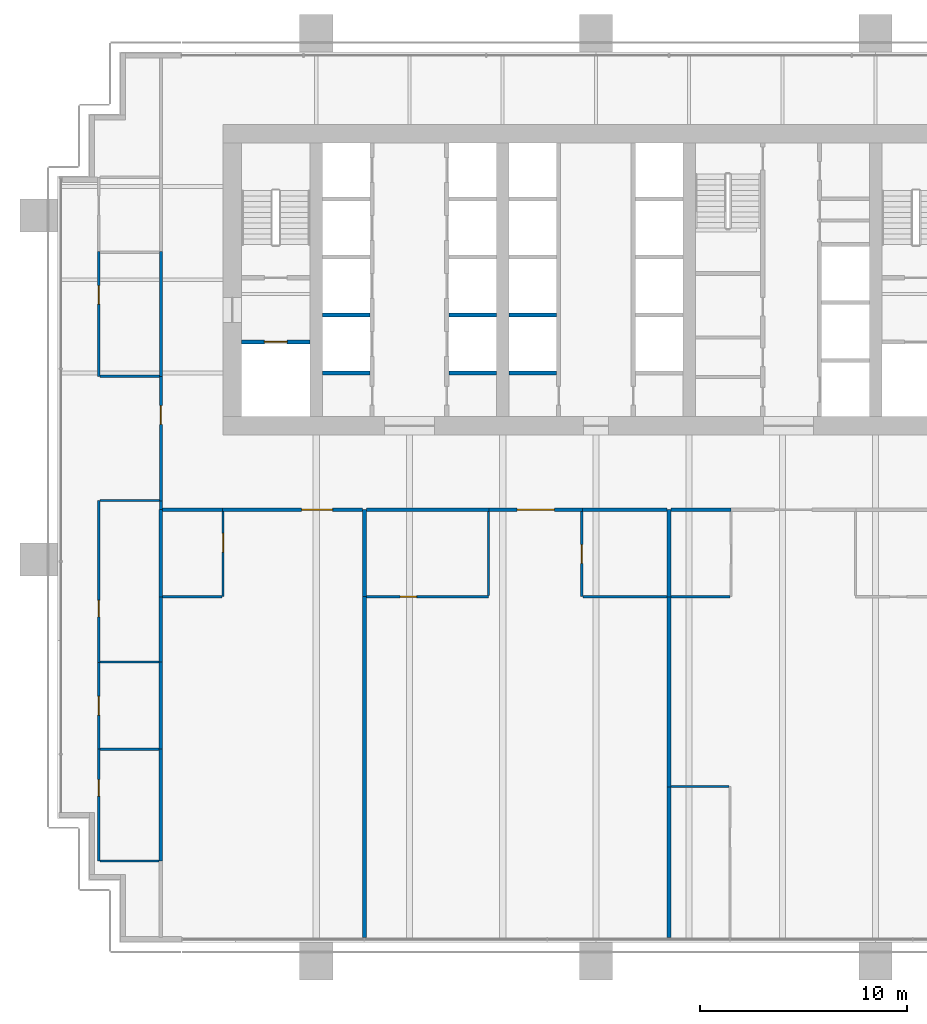
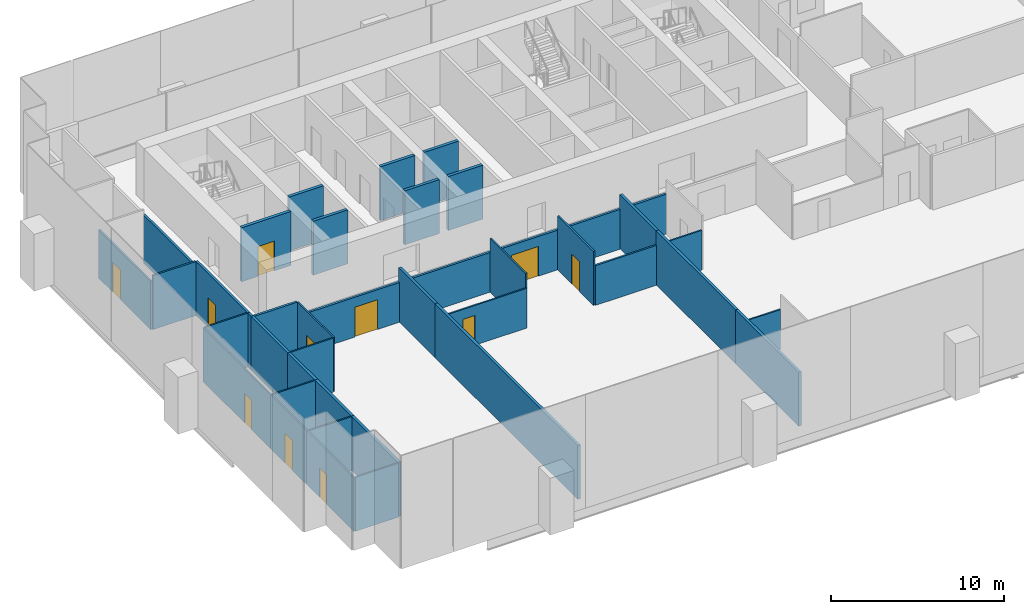
# One storey, part 12 of 19: 42 walls, 11 doors, 11 openings.
"""IFC4 building model written with IfcOpenShell, lengths in metres."""

from ifc_helpers import new_model, si_unit, direction, frame, frame_2d, origin, place, context, subcontext, project, spatial, rectangle, extrude, material, layer, layer_set, type_object, element, fill, save


model = new_model("IFC4")

# Units and contexts
model_context = context("Model", 3, precision=1e-05, world=origin(), true_north=direction((0.0, 1.0)))
body_context = subcontext(model_context, "Body", "Model", "MODEL_VIEW")
ifc_project = project(units=[si_unit("LENGTHUNIT", "METRE"), si_unit("AREAUNIT", "SQUARE_METRE"), si_unit("VOLUMEUNIT", "CUBIC_METRE"), si_unit("PLANEANGLEUNIT", "RADIAN"), si_unit("MASSUNIT", "GRAM", prefix="KILO")], contexts=[model_context])

# Site, building, storey
site_placement = place(None, origin())
site = spatial("IfcSite", under=ifc_project, at=site_placement, CompositionType="ELEMENT")
building_placement = place(site_placement, origin())
building = spatial("IfcBuilding", under=site, at=building_placement, Name="Rattan Terrace Tower", CompositionType="ELEMENT")
storey_placement = place(building_placement, frame((0.0, 0.0, 79.699951171875)))
storey = spatial("IfcBuildingStorey", under=building, at=storey_placement, Name="L17", CompositionType="ELEMENT", Elevation=79.699951171875)

# Wall, opening, door
ifc_material_1 = material(Name="Gypsum board partition")
ifc_layer_1 = layer(ifc_material_1, 0.199951171875)
ifc_layer_set_1 = layer_set([ifc_layer_1], Name="Core partition 200")
wall_type_1 = type_object("IfcWallType", Name="Core partition 200", PredefinedType="PARTITIONING", material=ifc_layer_set_1)
wall_1_placement = place(storey_placement, frame((-17.10009765625, -3.0, 0.0), z_axis=(0.0, 0.0, 1.0), x_axis=(1.0, 0.0, 0.0)))
wall_1 = element("IfcWall", 1, at=wall_1_placement, inside=storey, type_object=wall_type_1, Name="Fire-fighting lobby wall", PredefinedType="PARTITIONING", context=body_context, shape_type="SweptSolid", body=[
    extrude(rectangle(XDim=3.300048828125, YDim=0.199951171875, at=frame_2d((1.64990234375, 0.0))), origin(), (0.0, 0.0, 1.0), 3.800048828125),
])
opening_1_placement = place(wall_1_placement, frame((1.10009765625, 0.0, 0.0)))
opening_1 = element("IfcOpeningElement", 2, at=opening_1_placement, cuts=wall_1, Name="Opening L17-LD-FF1", PredefinedType="OPENING", context=body_context, shape_type="SweptSolid", body=[
    extrude(rectangle(XDim=1.10009765625, YDim=2.10009765625, at=frame_2d((0.550048828125, 1.050048828125))), frame((0.0, 0.110595703125, 0.0), z_axis=(0.0, -1.0, 0.0), x_axis=(1.0, 0.0, 0.0)), (0.0, 0.0, 1.0), 0.220947265625),
])
ifc_material_2 = material(Name="Brushed stainless landing door panel")
door_type_1 = type_object("IfcDoorType", Name="Core lift landing door 1100", OperationType="DOUBLE_DOOR_SLIDING", PredefinedType="DOOR", material=ifc_material_2)
door_1_placement = place(opening_1_placement, origin())
door_1 = element("IfcDoor", 3, at=door_1_placement, inside=storey, type_object=door_type_1, Name="Door L17-LD-FF1", OperationType="DOUBLE_DOOR_SLIDING", OverallHeight=2.10009765625, OverallWidth=1.10009765625, PredefinedType="DOOR", context=body_context, shape_type="SweptSolid", body=[
    extrude(rectangle(XDim=1.10009765625, YDim=2.10009765625, at=frame_2d((0.550048828125, 1.050048828125))), frame((0.0, 0.02490234375, 0.0), z_axis=(0.0, -1.0, 0.0), x_axis=(1.0, 0.0, 0.0)), (0.0, 0.0, 1.0), 0.050048828125),
])
fill(opening_1, door_1)

# Walls
ifc_material_3 = material(Name="Double steel stud acoustic partition, gypsum board, mineral wool, fire rated", Category="steel")
ifc_layer_2 = layer(ifc_material_3, 0.179931640625)
ifc_layer_set_2 = layer_set([ifc_layer_2], Name="Floors Acoustic Party Wall 180")
wall_type_2 = type_object("IfcWallType", Name="Floors Acoustic Party Wall 180", PredefinedType="PARTITIONING", material=ifc_layer_set_2)
wall_2_placement = place(storey_placement, frame((-21.0, -22.659912109375, 0.0), z_axis=(0.0, 0.0, 1.0), x_axis=(0.0, -1.0, 0.0)))
element("IfcWall", 4, at=wall_2_placement, inside=storey, type_object=wall_type_2, Name="pt-L17-031", PredefinedType="PARTITIONING", context=body_context, shape_type="SweptSolid", body=[
    extrude(rectangle(XDim=5.400146484375, YDim=0.179931640625, at=frame_2d((2.7001953125, 0.0))), origin(), (0.0, 0.0, 1.0), 3.800048828125),
])
wall_3_placement = place(storey_placement, frame((-21.0, -18.4599609375, 0.0), z_axis=(0.0, 0.0, 1.0), x_axis=(0.0, -1.0, 0.0)))
element("IfcWall", 5, at=wall_3_placement, inside=storey, type_object=wall_type_2, Name="pt-L17-033", PredefinedType="PARTITIONING", context=body_context, shape_type="SweptSolid", body=[
    extrude(rectangle(XDim=4.199951171875, YDim=0.179931640625, at=frame_2d((2.10009765625, 0.0))), origin(), (0.0, 0.0, 1.0), 3.800048828125),
])
wall_4_placement = place(storey_placement, frame((-21.0, -15.320068359375, 0.0), z_axis=(0.0, 0.0, 1.0), x_axis=(0.0, -1.0, 0.0)))
element("IfcWall", 6, at=wall_4_placement, inside=storey, type_object=wall_type_2, Name="pt-L17-034", PredefinedType="PARTITIONING", context=body_context, shape_type="SweptSolid", body=[
    extrude(rectangle(XDim=3.139892578125, YDim=0.179931640625, at=frame_2d((1.56982421875, 0.0))), origin(), (0.0, 0.0, 1.0), 3.800048828125),
])
wall_5_placement = place(storey_placement, frame((-21.0, -11.080078125, 0.0), z_axis=(0.0, 0.0, 1.0), x_axis=(0.0, -1.0, 0.0)))
element("IfcWall", 7, at=wall_5_placement, inside=storey, type_object=wall_type_2, Name="pt-L17-035", PredefinedType="PARTITIONING", context=body_context, shape_type="SweptSolid", body=[
    extrude(rectangle(XDim=4.239990234375, YDim=0.179931640625, at=frame_2d((2.1201171875, 0.0))), origin(), (0.0, 0.0, 1.0), 3.800048828125),
])
wall_6_placement = place(storey_placement, frame((-11.176025390625, -15.280029296875, 0.0), z_axis=(0.0, 0.0, 1.0), x_axis=(0.0, -1.0, 0.0)))
element("IfcWall", 8, at=wall_6_placement, inside=storey, type_object=wall_type_2, Name="pt-L17-039", PredefinedType="PARTITIONING", context=body_context, shape_type="SweptSolid", body=[
    extrude(rectangle(XDim=16.4599609375, YDim=0.179931640625, at=frame_2d((8.22998046875, 0.0))), origin(), (0.0, 0.0, 1.0), 3.800048828125),
])
wall_7_placement = place(storey_placement, frame((-11.176025390625, -11.10009765625, 0.0), z_axis=(0.0, 0.0, 1.0), x_axis=(0.0, -1.0, 0.0)))
element("IfcWall", 9, at=wall_7_placement, inside=storey, type_object=wall_type_2, Name="pt-L17-040", PredefinedType="PARTITIONING", context=body_context, shape_type="SweptSolid", body=[
    extrude(rectangle(XDim=4.179931640625, YDim=0.179931640625, at=frame_2d((2.08984375, 0.0))), origin(), (0.0, 0.0, 1.0), 3.800048828125),
])
wall_8_placement = place(storey_placement, frame((3.529052734375, -15.300048828125, 0.0), z_axis=(0.0, 0.0, 1.0), x_axis=(0.0, -1.0, 0.0)))
element("IfcWall", 10, at=wall_8_placement, inside=storey, type_object=wall_type_2, Name="pt-L17-045", PredefinedType="PARTITIONING", context=body_context, shape_type="SweptSolid", body=[
    extrude(rectangle(XDim=9.179931640625, YDim=0.179931640625, at=frame_2d((4.58984375, 0.0))), origin(), (0.0, 0.0, 1.0), 3.800048828125),
])
wall_9_placement = place(storey_placement, frame((3.529052734375, -24.47998046875, 0.0), z_axis=(0.0, 0.0, 1.0), x_axis=(0.0, -1.0, 0.0)))
element("IfcWall", 11, at=wall_9_placement, inside=storey, type_object=wall_type_2, Name="pt-L17-046", PredefinedType="PARTITIONING", context=body_context, shape_type="SweptSolid", body=[
    extrude(rectangle(XDim=7.260009765625, YDim=0.179931640625, at=frame_2d((3.6298828125, 0.0))), origin(), (0.0, 0.0, 1.0), 3.800048828125),
])
wall_10_placement = place(storey_placement, frame((3.529052734375, -11.10009765625, 0.0), z_axis=(0.0, 0.0, 1.0), x_axis=(0.0, -1.0, 0.0)))
element("IfcWall", 12, at=wall_10_placement, inside=storey, type_object=wall_type_2, Name="pt-L17-047", PredefinedType="PARTITIONING", context=body_context, shape_type="SweptSolid", body=[
    extrude(rectangle(XDim=4.199951171875, YDim=0.179931640625, at=frame_2d((2.10009765625, 0.0))), origin(), (0.0, 0.0, 1.0), 3.800048828125),
])

# Wall, opening, door
ifc_material_4 = material(Name="Gypsum board partition on steel studs", Category="steel")
ifc_layer_3 = layer(ifc_material_4, 0.10009765625)
ifc_layer_set_3 = layer_set([ifc_layer_3], Name="Floors Partition 100")
wall_type_3 = type_object("IfcWallType", Name="Floors Partition 100", PredefinedType="PARTITIONING", material=ifc_layer_set_3)
wall_11_placement = place(storey_placement, frame((-24.0, -22.639892578125, 0.0), z_axis=(0.0, 0.0, 1.0), x_axis=(0.0, -1.0, 0.0)))
wall_11 = element("IfcWall", 13, at=wall_11_placement, inside=storey, type_object=wall_type_3, Name="pt-L17-020", PredefinedType="PARTITIONING", context=body_context, shape_type="SweptSolid", body=[
    extrude(rectangle(XDim=5.420166015625, YDim=0.10009765625, at=frame_2d((2.7099609375, 0.0))), origin(), (0.0, 0.0, 1.0), 3.800048828125),
])
opening_2_placement = place(wall_11_placement, frame((1.486083984375, 0.0, 0.0)))
opening_2 = element("IfcOpeningElement", 14, at=opening_2_placement, cuts=wall_11, Name="Opening L17-D101", PredefinedType="OPENING", context=body_context, shape_type="SweptSolid", body=[
    extrude(rectangle(XDim=0.800048828125, YDim=2.10009765625, at=frame_2d((0.39990234375, 1.050048828125))), frame((0.0, 0.060546875, 0.0), z_axis=(0.0, -1.0, 0.0), x_axis=(1.0, 0.0, 0.0)), (0.0, 0.0, 1.0), 0.12109375),
])
ifc_material_5 = material(Name="Solid core timber door, painted", Category="wood")
door_type_2 = type_object("IfcDoorType", Name="Floors Store Door 800x2100", OperationType="NOTDEFINED", PredefinedType="DOOR", material=ifc_material_5)
door_2_placement = place(opening_2_placement, origin())
door_2 = element("IfcDoor", 15, at=door_2_placement, inside=storey, type_object=door_type_2, Name="d-L17-101", OperationType="SINGLE_SWING_LEFT", OverallHeight=2.10009765625, OverallWidth=0.800048828125, PredefinedType="DOOR", context=body_context, shape_type="SweptSolid", body=[
    extrude(rectangle(XDim=0.800048828125, YDim=2.10009765625, at=frame_2d((0.39990234375, 1.050048828125))), frame((0.0, 0.02490234375, 0.0), z_axis=(0.0, -1.0, 0.0), x_axis=(1.0, 0.0, 0.0)), (0.0, 0.0, 1.0), 0.050048828125),
])
fill(opening_2, door_2)

# Wall
wall_12_placement = place(storey_placement, frame((-23.949951171875, -28.06005859375, 0.0), z_axis=(0.0, 0.0, 1.0), x_axis=(1.0, 0.0, 0.0)))
element("IfcWall", 16, at=wall_12_placement, inside=storey, type_object=wall_type_3, Name="pt-L17-021", PredefinedType="PARTITIONING", context=body_context, shape_type="SweptSolid", body=[
    extrude(rectangle(XDim=2.85986328125, YDim=0.10009765625, at=frame_2d((1.429931640625, 0.0))), origin(), (0.0, 0.0, 1.0), 3.800048828125),
])

# Wall, opening, door
wall_13_placement = place(storey_placement, frame((-24.0, -18.47998046875, 0.0), z_axis=(0.0, 0.0, 1.0), x_axis=(0.0, -1.0, 0.0)))
wall_13 = element("IfcWall", 17, at=wall_13_placement, inside=storey, type_object=wall_type_3, Name="pt-L17-022", PredefinedType="PARTITIONING", context=body_context, shape_type="SweptSolid", body=[
    extrude(rectangle(XDim=4.159912109375, YDim=0.10009765625, at=frame_2d((2.080078125, 0.0))), origin(), (0.0, 0.0, 1.0), 3.800048828125),
])
opening_3_placement = place(wall_13_placement, frame((1.6298828125, 0.0, 0.0)))
opening_3 = element("IfcOpeningElement", 18, at=opening_3_placement, cuts=wall_13, Name="Opening L17-D102", PredefinedType="OPENING", context=body_context, shape_type="SweptSolid", body=[
    extrude(rectangle(XDim=0.89990234375, YDim=2.10009765625, at=frame_2d((0.449951171875, 1.050048828125))), frame((0.0, 0.060546875, 0.0), z_axis=(0.0, -1.0, 0.0), x_axis=(1.0, 0.0, 0.0)), (0.0, 0.0, 1.0), 0.12109375),
])
ifc_material_6 = material(Name="Solid core timber door, painted", Category="wood")
door_type_3 = type_object("IfcDoorType", Name="Floors Door 900x2100", OperationType="NOTDEFINED", PredefinedType="DOOR", material=ifc_material_6)
door_3_placement = place(opening_3_placement, origin())
door_3 = element("IfcDoor", 19, at=door_3_placement, inside=storey, type_object=door_type_3, Name="d-L17-102", OperationType="SINGLE_SWING_LEFT", OverallHeight=2.10009765625, OverallWidth=0.89990234375, PredefinedType="DOOR", context=body_context, shape_type="SweptSolid", body=[
    extrude(rectangle(XDim=0.89990234375, YDim=2.10009765625, at=frame_2d((0.449951171875, 1.050048828125))), frame((0.0, 0.02490234375, 0.0), z_axis=(0.0, -1.0, 0.0), x_axis=(1.0, 0.0, 0.0)), (0.0, 0.0, 1.0), 0.050048828125),
])
fill(opening_3, door_3)

wall_14_placement = place(storey_placement, frame((-24.0, -10.659912109375, 0.0), z_axis=(0.0, 0.0, 1.0), x_axis=(0.0, -1.0, 0.0)))
wall_14 = element("IfcWall", 20, at=wall_14_placement, inside=storey, type_object=wall_type_3, Name="pt-L17-023", PredefinedType="PARTITIONING", context=body_context, shape_type="SweptSolid", body=[
    extrude(rectangle(XDim=7.820068359375, YDim=0.10009765625, at=frame_2d((3.91015625, 0.0))), origin(), (0.0, 0.0, 1.0), 3.800048828125),
])
opening_4_placement = place(wall_14_placement, frame((4.81396484375, 0.0, 0.0)))
opening_4 = element("IfcOpeningElement", 21, at=opening_4_placement, cuts=wall_14, Name="Opening L17-D103", PredefinedType="OPENING", context=body_context, shape_type="SweptSolid", body=[
    extrude(rectangle(XDim=0.800048828125, YDim=2.10009765625, at=frame_2d((0.39990234375, 1.050048828125))), frame((0.0, 0.060546875, 0.0), z_axis=(0.0, -1.0, 0.0), x_axis=(1.0, 0.0, 0.0)), (0.0, 0.0, 1.0), 0.12109375),
])
door_4_placement = place(opening_4_placement, origin())
door_4 = element("IfcDoor", 22, at=door_4_placement, inside=storey, type_object=door_type_2, Name="d-L17-103", OperationType="SINGLE_SWING_RIGHT", OverallHeight=2.10009765625, OverallWidth=0.800048828125, PredefinedType="DOOR", context=body_context, shape_type="SweptSolid", body=[
    extrude(rectangle(XDim=0.800048828125, YDim=2.10009765625, at=frame_2d((0.39990234375, 1.050048828125))), frame((0.0, 0.02490234375, 0.0), z_axis=(0.0, -1.0, 0.0), x_axis=(1.0, 0.0, 0.0)), (0.0, 0.0, 1.0), 0.050048828125),
])
fill(opening_4, door_4)

# Walls
wall_15_placement = place(storey_placement, frame((-21.074951171875, -10.659912109375, 0.0), z_axis=(0.0, 0.0, 1.0), x_axis=(-1.0, 0.0, 0.0)))
element("IfcWall", 23, at=wall_15_placement, inside=storey, type_object=wall_type_3, Name="pt-L17-024", PredefinedType="PARTITIONING", context=body_context, shape_type="SweptSolid", body=[
    extrude(rectangle(XDim=2.875, YDim=0.10009765625, at=frame_2d((1.4375, 0.0))), origin(), (0.0, 0.0, 1.0), 3.800048828125),
])
for number, where, z_axis, x_axis, name in (
    (24, (-23.949951171875, -22.659912109375, 0.0), (0.0, 0.0, 1.0), (1.0, 0.0, 0.0), "pt-L17-030"),
    (25, (-23.949951171875, -18.4599609375, 0.0), (0.0, 0.0, 1.0), (1.0, 0.0, 0.0), "pt-L17-032"),
    (26, (-20.909912109375, -15.300048828125, 0.0), (0.0, 0.0, 1.0), (1.0, 0.0, 0.0), "pt-L17-037"),
):
    element("IfcWall", number, at=place(storey_placement, frame(where, z_axis=z_axis, x_axis=x_axis)), inside=storey, type_object=wall_type_3, Name=name, PredefinedType="PARTITIONING", context=body_context, shape_type="SweptSolid", body=[
        extrude(rectangle(XDim=2.85986328125, YDim=0.10009765625, at=frame_2d((1.429931640625, 0.0))), origin(), (0.0, 0.0, 1.0), 3.800048828125),
    ])

# Wall, opening, door
wall_16_placement = place(storey_placement, frame((-18.0, -15.300048828125, 0.0), z_axis=(0.0, 0.0, 1.0), x_axis=(0.0, 1.0, 0.0)))
wall_16 = element("IfcWall", 27, at=wall_16_placement, inside=storey, type_object=wall_type_3, Name="pt-L17-038", PredefinedType="PARTITIONING", context=body_context, shape_type="SweptSolid", body=[
    extrude(rectangle(XDim=4.125, YDim=0.10009765625, at=frame_2d((2.0625, 0.0))), origin(), (0.0, 0.0, 1.0), 3.800048828125),
])
opening_5_placement = place(wall_16_placement, frame((2.156982421875, 0.0, 0.0)))
opening_5 = element("IfcOpeningElement", 28, at=opening_5_placement, cuts=wall_16, Name="Opening L17-D107", PredefinedType="OPENING", context=body_context, shape_type="SweptSolid", body=[
    extrude(rectangle(XDim=0.89990234375, YDim=2.10009765625, at=frame_2d((0.449951171875, 1.050048828125))), frame((0.0, 0.060546875, 0.0), z_axis=(0.0, -1.0, 0.0), x_axis=(1.0, 0.0, 0.0)), (0.0, 0.0, 1.0), 0.12109375),
])
door_5_placement = place(opening_5_placement, origin())
door_5 = element("IfcDoor", 29, at=door_5_placement, inside=storey, type_object=door_type_3, Name="d-L17-107", OperationType="SINGLE_SWING_RIGHT", OverallHeight=2.10009765625, OverallWidth=0.89990234375, PredefinedType="DOOR", context=body_context, shape_type="SweptSolid", body=[
    extrude(rectangle(XDim=0.89990234375, YDim=2.10009765625, at=frame_2d((0.449951171875, 1.050048828125))), frame((0.0, 0.02490234375, 0.0), z_axis=(0.0, -1.0, 0.0), x_axis=(1.0, 0.0, 0.0)), (0.0, 0.0, 1.0), 0.050048828125),
])
fill(opening_5, door_5)

wall_17_placement = place(storey_placement, frame((-11.0859375, -15.300048828125, 0.0), z_axis=(0.0, 0.0, 1.0), x_axis=(1.0, 0.0, 0.0)))
wall_17 = element("IfcWall", 30, at=wall_17_placement, inside=storey, type_object=wall_type_3, Name="pt-L17-041", PredefinedType="PARTITIONING", context=body_context, shape_type="SweptSolid", body=[
    extrude(rectangle(XDim=5.909912109375, YDim=0.10009765625, at=frame_2d((2.955078125, 0.0))), origin(), (0.0, 0.0, 1.0), 2.800048828125),
])
opening_6_placement = place(wall_17_placement, frame((1.633056640625, 0.0, 0.0)))
opening_6 = element("IfcOpeningElement", 31, at=opening_6_placement, cuts=wall_17, Name="Opening L17-D109", PredefinedType="OPENING", context=body_context, shape_type="SweptSolid", body=[
    extrude(rectangle(XDim=0.800048828125, YDim=2.10009765625, at=frame_2d((0.39990234375, 1.050048828125))), frame((0.0, 0.060546875, 0.0), z_axis=(0.0, -1.0, 0.0), x_axis=(1.0, 0.0, 0.0)), (0.0, 0.0, 1.0), 0.12109375),
])
door_6_placement = place(opening_6_placement, origin())
door_6 = element("IfcDoor", 32, at=door_6_placement, inside=storey, type_object=door_type_2, Name="d-L17-109", OperationType="SINGLE_SWING_LEFT", OverallHeight=2.10009765625, OverallWidth=0.800048828125, PredefinedType="DOOR", context=body_context, shape_type="SweptSolid", body=[
    extrude(rectangle(XDim=0.800048828125, YDim=2.10009765625, at=frame_2d((0.39990234375, 1.050048828125))), frame((0.0, 0.02490234375, 0.0), z_axis=(0.0, -1.0, 0.0), x_axis=(1.0, 0.0, 0.0)), (0.0, 0.0, 1.0), 0.050048828125),
])
fill(opening_6, door_6)

# Walls
wall_18_placement = place(storey_placement, frame((-5.176025390625, -15.25, 0.0), z_axis=(0.0, 0.0, 1.0), x_axis=(0.0, 1.0, 0.0)))
element("IfcWall", 33, at=wall_18_placement, inside=storey, type_object=wall_type_3, Name="pt-L17-042", PredefinedType="PARTITIONING", context=body_context, shape_type="SweptSolid", body=[
    extrude(rectangle(XDim=4.074951171875, YDim=0.10009765625, at=frame_2d((2.03759765625, 0.0))), origin(), (0.0, 0.0, 1.0), 3.800048828125),
])
wall_19_placement = place(storey_placement, frame((6.4208984375, -24.4599609375, 0.0), z_axis=(0.0, 0.0, 1.0), x_axis=(-1.0, 0.0, 0.0)))
element("IfcWall", 34, at=wall_19_placement, inside=storey, type_object=wall_type_3, Name="pt-L17-048", PredefinedType="PARTITIONING", context=body_context, shape_type="SweptSolid", body=[
    extrude(rectangle(XDim=2.802001953125, YDim=0.10009765625, at=frame_2d((1.40087890625, 0.0))), origin(), (0.0, 0.0, 1.0), 2.800048828125),
])
wall_20_placement = place(storey_placement, frame((3.618896484375, -15.300048828125, 0.0), z_axis=(0.0, 0.0, 1.0), x_axis=(1.0, 0.0, 0.0)))
element("IfcWall", 35, at=wall_20_placement, inside=storey, type_object=wall_type_3, Name="pt-L17-050", PredefinedType="PARTITIONING", context=body_context, shape_type="SweptSolid", body=[
    extrude(rectangle(XDim=2.860107421875, YDim=0.10009765625, at=frame_2d((1.43017578125, 0.0))), origin(), (0.0, 0.0, 1.0), 2.800048828125),
])

# Wall, opening, door
ifc_material_7 = material(Name="Gypsum board partition on steel studs, fire rated", Category="steel")
ifc_layer_4 = layer(ifc_material_7, 0.14990234375)
ifc_layer_set_4 = layer_set([ifc_layer_4], Name="Floors Tenancy Wall 150")
wall_type_4 = type_object("IfcWallType", Name="Floors Tenancy Wall 150", PredefinedType="PARTITIONING", material=ifc_layer_set_4)
wall_21_placement = place(storey_placement, frame((-21.0, -10.679931640625, 0.0), z_axis=(0.0, 0.0, 1.0), x_axis=(0.0, 1.0, 0.0)))
wall_21 = element("IfcWall", 36, at=wall_21_placement, inside=storey, type_object=wall_type_4, Name="pt-L17-001", PredefinedType="PARTITIONING", context=body_context, shape_type="SweptSolid", body=[
    extrude(rectangle(XDim=6.0, YDim=0.14990234375, at=frame_2d((3.0, 0.0))), origin(), (0.0, 0.0, 1.0), 3.800048828125),
])
opening_7_placement = place(wall_21_placement, frame((3.699951171875, 0.0, 0.0)))
opening_7 = element("IfcOpeningElement", 37, at=opening_7_placement, cuts=wall_21, Name="Opening L17-D100", PredefinedType="OPENING", context=body_context, shape_type="SweptSolid", body=[
    extrude(rectangle(XDim=0.89990234375, YDim=2.10009765625, at=frame_2d((0.449951171875, 1.050048828125))), frame((0.0, 0.08544921875, 0.0), z_axis=(0.0, -1.0, 0.0), x_axis=(1.0, 0.0, 0.0)), (0.0, 0.0, 1.0), 0.1708984375),
])
ifc_material_8 = material(Name="Steel fire door set", Category="steel")
door_type_4 = type_object("IfcDoorType", Name="Floors Fire Door FD30S 900x2100", OperationType="NOTDEFINED", PredefinedType="DOOR", material=ifc_material_8)
door_7_placement = place(opening_7_placement, origin())
door_7 = element("IfcDoor", 38, at=door_7_placement, inside=storey, type_object=door_type_4, Name="d-L17-100", OperationType="SINGLE_SWING_RIGHT", OverallHeight=2.10009765625, OverallWidth=0.89990234375, PredefinedType="DOOR", context=body_context, shape_type="SweptSolid", body=[
    extrude(rectangle(XDim=0.89990234375, YDim=2.10009765625, at=frame_2d((0.449951171875, 1.050048828125))), frame((0.0, 0.02490234375, 0.0), z_axis=(0.0, -1.0, 0.0), x_axis=(1.0, 0.0, 0.0)), (0.0, 0.0, 1.0), 0.050048828125),
])
fill(opening_7, door_7)

# Walls
wall_22_placement = place(storey_placement, frame((-21.0029296875, -11.080078125, 0.0), z_axis=(0.0, 0.0, 1.0), x_axis=(0.0, 1.0, 0.0)))
element("IfcWall", 39, at=wall_22_placement, inside=storey, type_object=wall_type_4, Name="pt-L17-003", PredefinedType="PARTITIONING", context=body_context, shape_type="SweptSolid", body=[
    extrude(rectangle(XDim=0.400146484375, YDim=0.14990234375, at=frame_2d((0.2001953125, 0.0))), origin(), (0.0, 0.0, 1.0), 3.800048828125),
])
wall_23_placement = place(storey_placement, frame((-21.0, -4.679931640625, 0.0), z_axis=(0.0, 0.0, 1.0), x_axis=(0.0, 1.0, 0.0)))
element("IfcWall", 40, at=wall_23_placement, inside=storey, type_object=wall_type_4, Name="pt-L17-004", PredefinedType="PARTITIONING", context=body_context, shape_type="SweptSolid", body=[
    extrude(rectangle(XDim=6.0400390625, YDim=0.14990234375, at=frame_2d((3.02001953125, 0.0))), origin(), (0.0, 0.0, 1.0), 3.400146484375),
])

# Wall, opening, door
wall_24_placement = place(storey_placement, frame((-11.26611328125, -11.10009765625, 0.0), z_axis=(0.0, 0.0, 1.0), x_axis=(-1.0, 0.0, 0.0)))
wall_24 = element("IfcWall", 41, at=wall_24_placement, inside=storey, type_object=wall_type_4, Name="pt-L17-006", PredefinedType="PARTITIONING", context=body_context, shape_type="SweptSolid", body=[
    extrude(rectangle(XDim=6.75390625, YDim=0.14990234375, at=frame_2d((3.376953125, 0.0))), origin(), (0.0, 0.0, 1.0), 2.800048828125),
])
opening_8_placement = place(wall_24_placement, frame((1.43798828125, 0.0, 0.0)))
opening_8 = element("IfcOpeningElement", 42, at=opening_8_placement, cuts=wall_24, Name="Opening L17-D106", PredefinedType="OPENING", context=body_context, shape_type="SweptSolid", body=[
    extrude(rectangle(XDim=1.5, YDim=2.10009765625, at=frame_2d((0.75, 1.050048828125))), frame((0.0, 0.08544921875, 0.0), z_axis=(0.0, -1.0, 0.0), x_axis=(1.0, 0.0, 0.0)), (0.0, 0.0, 1.0), 0.1708984375),
])
ifc_material_9 = material(Name="Steel fire door set", Category="steel")
door_type_5 = type_object("IfcDoorType", Name="Floors Unit Door Pair FD30S 1500x2100", OperationType="NOTDEFINED", PredefinedType="DOOR", material=ifc_material_9)
door_8_placement = place(opening_8_placement, origin())
door_8 = element("IfcDoor", 43, at=door_8_placement, inside=storey, type_object=door_type_5, Name="d-L17-106", OperationType="DOUBLE_DOOR_SINGLE_SWING", OverallHeight=2.10009765625, OverallWidth=1.5, PredefinedType="DOOR", context=body_context, shape_type="SweptSolid", body=[
    extrude(rectangle(XDim=1.5, YDim=2.10009765625, at=frame_2d((0.75, 1.050048828125))), frame((0.0, 0.02490234375, 0.0), z_axis=(0.0, -1.0, 0.0), x_axis=(1.0, 0.0, 0.0)), (0.0, 0.0, 1.0), 0.050048828125),
])
fill(opening_8, door_8)

# Wall
wall_25_placement = place(storey_placement, frame((-18.02001953125, -11.09912109375, 0.0), z_axis=(0.0, 0.0, 1.0), x_axis=(-1.0, 0.0, 0.0)))
element("IfcWall", 44, at=wall_25_placement, inside=storey, type_object=wall_type_4, Name="pt-L17-007", PredefinedType="PARTITIONING", context=body_context, shape_type="SweptSolid", body=[
    extrude(rectangle(XDim=2.889892578125, YDim=0.14990234375, at=frame_2d((1.44482421875, 0.0))), origin(), (0.0, 0.0, 1.0), 3.800048828125),
])

# Wall, opening, door
wall_26_placement = place(storey_placement, frame((-0.656005859375, -11.10009765625, 0.0), z_axis=(0.0, 0.0, 1.0), x_axis=(-1.0, 0.0, 0.0)))
wall_26 = element("IfcWall", 45, at=wall_26_placement, inside=storey, type_object=wall_type_4, Name="pt-L17-008", PredefinedType="PARTITIONING", context=body_context, shape_type="SweptSolid", body=[
    extrude(rectangle(XDim=4.5, YDim=0.14990234375, at=frame_2d((2.25, 0.0))), origin(), (0.0, 0.0, 1.0), 2.800048828125),
])
opening_9_placement = place(wall_26_placement, frame((1.35009765625, 0.0, 0.0)))
opening_9 = element("IfcOpeningElement", 46, at=opening_9_placement, cuts=wall_26, Name="Opening L17-D108", PredefinedType="OPENING", context=body_context, shape_type="SweptSolid", body=[
    extrude(rectangle(XDim=1.800048828125, YDim=2.10009765625, at=frame_2d((0.89990234375, 1.050048828125))), frame((0.0, 0.08544921875, 0.0), z_axis=(0.0, -1.0, 0.0), x_axis=(1.0, 0.0, 0.0)), (0.0, 0.0, 1.0), 0.1708984375),
])
ifc_material_10 = material(Name="Steel fire door set", Category="steel")
door_type_6 = type_object("IfcDoorType", Name="Floors Fire Door Pair FD30S 1800x2100", OperationType="NOTDEFINED", PredefinedType="DOOR", material=ifc_material_10)
door_9_placement = place(opening_9_placement, origin())
door_9 = element("IfcDoor", 47, at=door_9_placement, inside=storey, type_object=door_type_6, Name="d-L17-108", OperationType="DOUBLE_DOOR_SINGLE_SWING", OverallHeight=2.10009765625, OverallWidth=1.800048828125, PredefinedType="DOOR", context=body_context, shape_type="SweptSolid", body=[
    extrude(rectangle(XDim=1.800048828125, YDim=2.10009765625, at=frame_2d((0.89990234375, 1.050048828125))), frame((0.0, 0.02490234375, 0.0), z_axis=(0.0, -1.0, 0.0), x_axis=(1.0, 0.0, 0.0)), (0.0, 0.0, 1.0), 0.050048828125),
])
fill(opening_9, door_9)

# Walls
wall_27_placement = place(storey_placement, frame((-5.156005859375, -11.10009765625, 0.0), z_axis=(0.0, 0.0, 1.0), x_axis=(-1.0, 0.0, 0.0)))
element("IfcWall", 48, at=wall_27_placement, inside=storey, type_object=wall_type_4, Name="pt-L17-009", PredefinedType="PARTITIONING", context=body_context, shape_type="SweptSolid", body=[
    extrude(rectangle(XDim=5.929931640625, YDim=0.14990234375, at=frame_2d((2.96484375, 0.0))), origin(), (0.0, 0.0, 1.0), 2.800048828125),
])
wall_28_placement = place(storey_placement, frame((3.43896484375, -11.10009765625, 0.0), z_axis=(0.0, 0.0, 1.0), x_axis=(-1.0, 0.0, 0.0)))
element("IfcWall", 49, at=wall_28_placement, inside=storey, type_object=wall_type_4, Name="pt-L17-010", PredefinedType="PARTITIONING", context=body_context, shape_type="SweptSolid", body=[
    extrude(rectangle(XDim=4.094970703125, YDim=0.14990234375, at=frame_2d((2.04736328125, 0.0))), origin(), (0.0, 0.0, 1.0), 2.800048828125),
])
wall_29_placement = place(storey_placement, frame((6.509033203125, -11.10009765625, 0.0), z_axis=(0.0, 0.0, 1.0), x_axis=(-1.0, 0.0, 0.0)))
element("IfcWall", 50, at=wall_29_placement, inside=storey, type_object=wall_type_4, Name="pt-L17-012", PredefinedType="PARTITIONING", context=body_context, shape_type="SweptSolid", body=[
    extrude(rectangle(XDim=2.89013671875, YDim=0.14990234375, at=frame_2d((1.445068359375, 0.0))), origin(), (0.0, 0.0, 1.0), 2.800048828125),
])

# Wall, opening, door
ifc_material_11 = material(Name="Moisture resistant gypsum board partition on steel studs with service cavity", Category="steel")
ifc_layer_5 = layer(ifc_material_11, 0.1201171875)
ifc_layer_set_5 = layer_set([ifc_layer_5], Name="Floors Wet Wall 120")
wall_type_5 = type_object("IfcWallType", Name="Floors Wet Wall 120", PredefinedType="PARTITIONING", material=ifc_layer_set_5)
wall_30_placement = place(storey_placement, frame((-24.0, 1.360107421875, 0.0), z_axis=(0.0, 0.0, 1.0), x_axis=(0.0, -1.0, 0.0)))
wall_30 = element("IfcWall", 51, at=wall_30_placement, inside=storey, type_object=wall_type_5, Name="pt-L17-025", PredefinedType="PARTITIONING", context=body_context, shape_type="SweptSolid", body=[
    extrude(rectangle(XDim=6.02001953125, YDim=0.1201171875, at=frame_2d((3.010009765625, 0.0))), origin(), (0.0, 0.0, 1.0), 3.400146484375),
])
opening_10_placement = place(wall_30_placement, frame((1.635986328125, 0.0, 0.0)))
opening_10 = element("IfcOpeningElement", 52, at=opening_10_placement, cuts=wall_30, Name="Opening L17-D104", PredefinedType="OPENING", context=body_context, shape_type="SweptSolid", body=[
    extrude(rectangle(XDim=0.89990234375, YDim=2.10009765625, at=frame_2d((0.449951171875, 1.050048828125))), frame((0.0, 0.070556640625, 0.0), z_axis=(0.0, -1.0, 0.0), x_axis=(1.0, 0.0, 0.0)), (0.0, 0.0, 1.0), 0.14111328125),
])
door_10_placement = place(opening_10_placement, origin())
door_10 = element("IfcDoor", 53, at=door_10_placement, inside=storey, type_object=door_type_3, Name="d-L17-104", OperationType="SINGLE_SWING_LEFT", OverallHeight=2.10009765625, OverallWidth=0.89990234375, PredefinedType="DOOR", context=body_context, shape_type="SweptSolid", body=[
    extrude(rectangle(XDim=0.89990234375, YDim=2.10009765625, at=frame_2d((0.449951171875, 1.050048828125))), frame((0.0, 0.02490234375, 0.0), z_axis=(0.0, -1.0, 0.0), x_axis=(1.0, 0.0, 0.0)), (0.0, 0.0, 1.0), 0.050048828125),
])
fill(opening_10, door_10)

# Wall
wall_31_placement = place(storey_placement, frame((-23.93994140625, -4.659912109375, 0.0), z_axis=(0.0, 0.0, 1.0), x_axis=(1.0, 0.0, 0.0)))
element("IfcWall", 54, at=wall_31_placement, inside=storey, type_object=wall_type_5, Name="pt-L17-026", PredefinedType="PARTITIONING", context=body_context, shape_type="SweptSolid", body=[
    extrude(rectangle(XDim=2.864990234375, YDim=0.1201171875, at=frame_2d((1.4326171875, 0.0))), origin(), (0.0, 0.0, 1.0), 3.800048828125),
])

# Wall, opening, door
wall_32_placement = place(storey_placement, frame((-0.676025390625, -11.175048828125, 0.0), z_axis=(0.0, 0.0, 1.0), x_axis=(0.0, -1.0, 0.0)))
wall_32 = element("IfcWall", 55, at=wall_32_placement, inside=storey, type_object=wall_type_5, Name="pt-L17-043", PredefinedType="PARTITIONING", context=body_context, shape_type="SweptSolid", body=[
    extrude(rectangle(XDim=4.125, YDim=0.1201171875, at=frame_2d((2.0625, 0.0))), origin(), (0.0, 0.0, 1.0), 3.800048828125),
])
opening_11_placement = place(wall_32_placement, frame((1.613037109375, 0.0, 0.0)))
opening_11 = element("IfcOpeningElement", 56, at=opening_11_placement, cuts=wall_32, Name="Opening L17-D110", PredefinedType="OPENING", context=body_context, shape_type="SweptSolid", body=[
    extrude(rectangle(XDim=0.89990234375, YDim=2.10009765625, at=frame_2d((0.449951171875, 1.050048828125))), frame((0.0, 0.070556640625, 0.0), z_axis=(0.0, -1.0, 0.0), x_axis=(1.0, 0.0, 0.0)), (0.0, 0.0, 1.0), 0.14111328125),
])
door_11_placement = place(opening_11_placement, origin())
door_11 = element("IfcDoor", 57, at=door_11_placement, inside=storey, type_object=door_type_3, Name="d-L17-110", OperationType="SINGLE_SWING_LEFT", OverallHeight=2.10009765625, OverallWidth=0.89990234375, PredefinedType="DOOR", context=body_context, shape_type="SweptSolid", body=[
    extrude(rectangle(XDim=0.89990234375, YDim=2.10009765625, at=frame_2d((0.449951171875, 1.050048828125))), frame((0.0, 0.02490234375, 0.0), z_axis=(0.0, -1.0, 0.0), x_axis=(1.0, 0.0, 0.0)), (0.0, 0.0, 1.0), 0.050048828125),
])
fill(opening_11, door_11)

# Walls
wall_33_placement = place(storey_placement, frame((-0.615966796875, -15.300048828125, 0.0), z_axis=(0.0, 0.0, 1.0), x_axis=(1.0, 0.0, 0.0)))
element("IfcWall", 58, at=wall_33_placement, inside=storey, type_object=wall_type_5, Name="pt-L17-044", PredefinedType="PARTITIONING", context=body_context, shape_type="SweptSolid", body=[
    extrude(rectangle(XDim=4.054931640625, YDim=0.1201171875, at=frame_2d((2.02734375, 0.0))), origin(), (0.0, 0.0, 1.0), 2.800048828125),
])
ifc_material_12 = material(Name="Gypsum shaft wall system")
ifc_layer_6 = layer(ifc_material_12, 0.199951171875)
ifc_layer_set_6 = layer_set([ifc_layer_6], Name="Lift shaft wall 200")
wall_type_6 = type_object("IfcWallType", Name="Lift shaft wall 200", PredefinedType="PARTITIONING", material=ifc_layer_set_6)
for number, where, z_axis, x_axis, name in (
    (59, (-13.199951171875, -1.699951171875, 0.0), (0.0, 0.0, 1.0), (1.0, 0.0, 0.0), "Lift shaft wall"),
    (60, (-13.199951171875, -4.5, 0.0), (0.0, 0.0, 1.0), (1.0, 0.0, 0.0), "Lift shaft wall"),
    (61, (-7.10009765625, -1.699951171875, 0.0), (0.0, 0.0, 1.0), (1.0, 0.0, 0.0), "Lift shaft wall"),
    (62, (-7.10009765625, -4.5, 0.0), (0.0, 0.0, 1.0), (1.0, 0.0, 0.0), "Lift shaft wall"),
    (63, (-4.199951171875, -1.699951171875, 0.0), (0.0, 0.0, 1.0), (1.0, 0.0, 0.0), "Lift shaft wall"),
    (64, (-4.199951171875, -4.5, 0.0), (0.0, 0.0, 1.0), (1.0, 0.0, 0.0), "Lift shaft wall"),
):
    element("IfcWall", number, at=place(storey_placement, frame(where, z_axis=z_axis, x_axis=x_axis)), inside=storey, type_object=wall_type_6, Name=name, PredefinedType="PARTITIONING", context=body_context, shape_type="SweptSolid", body=[
        extrude(rectangle(XDim=2.300048828125, YDim=0.199951171875, at=frame_2d((1.14990234375, 0.0))), origin(), (0.0, 0.0, 1.0), 3.800048828125),
    ])

save(model, "model.ifc")
